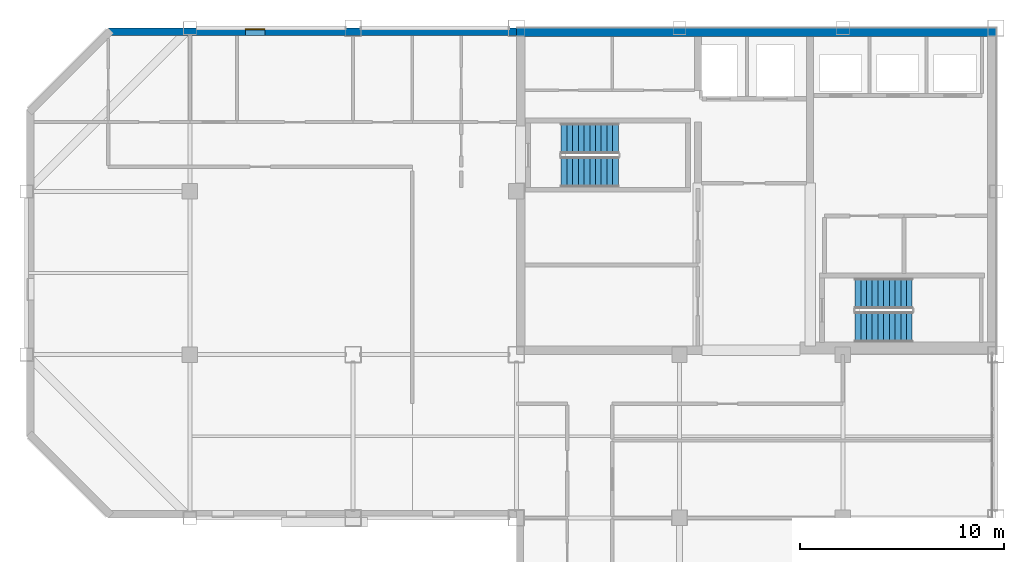
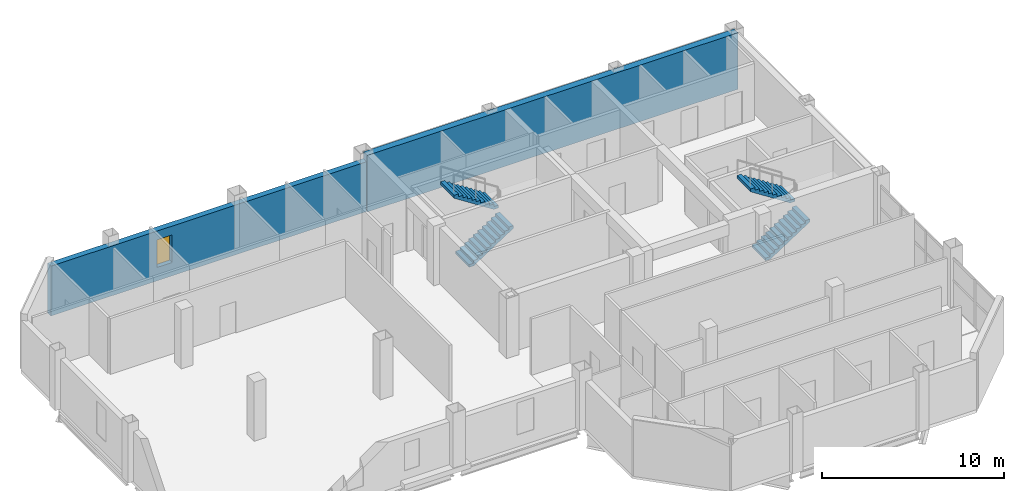
# One storey, part 10 of 13: 4 stair flights, 2 walls, 1 window, 1 opening, 2 elements without a shape of their own.
"""IFC4 building model written with IfcOpenShell, lengths in metres."""

from ifc_helpers import new_model, si_unit, direction, frame, frame_2d, origin, place, context, subcontext, project, spatial, polyline, rectangle, outline, extrude, material, layer, layer_set, type_object, element, fill, aggregate, save


model = new_model("IFC4")

# Units and contexts
model_context = context("Model", 3, precision=1e-05, world=origin(), true_north=direction((0.0, 1.0)))
body_context = subcontext(model_context, "Body", "Model", "MODEL_VIEW")
ifc_project = project(units=[si_unit("LENGTHUNIT", "METRE"), si_unit("AREAUNIT", "SQUARE_METRE"), si_unit("VOLUMEUNIT", "CUBIC_METRE"), si_unit("PLANEANGLEUNIT", "RADIAN"), si_unit("MASSUNIT", "GRAM", prefix="KILO")], contexts=[model_context])

# Site, building, storey
site_placement = place(None, origin())
site = spatial("IfcSite", under=ifc_project, at=site_placement, CompositionType="ELEMENT")
building_placement = place(site_placement, origin())
building = spatial("IfcBuilding", under=site, at=building_placement, Name="Qianrong Seaharbour Tower", CompositionType="ELEMENT")
storey_placement = place(building_placement, frame((0.0, 0.0, 299.199951171875)))
storey = spatial("IfcBuildingStorey", under=building, at=storey_placement, Name="L72", CompositionType="ELEMENT", Elevation=299.199951171875)

# Wall
ifc_material_1 = material(Name="Concrete C50/60", Category="concrete")
ifc_layer_1 = layer(ifc_material_1, 0.419921875)
ifc_layer_set_1 = layer_set([ifc_layer_1], Name="Concrete C50/60")
wall_type_1 = type_object("IfcWallType", Name="WALL-CORE-420", PredefinedType="SHEAR", material=ifc_layer_set_1)
wall_1_placement = place(storey_placement, frame((40.5, 51.7900390625, 0.0), z_axis=(0.0, 0.0, 1.0), x_axis=(1.0, 0.0, 0.0)))
element("IfcWall", 1, at=wall_1_placement, inside=storey, type_object=wall_type_1, Name="L72 North Core Shear Wall", PredefinedType="SHEAR", context=body_context, shape_type="SweptSolid", body=[
    extrude(rectangle(XDim=23.5, YDim=0.419921875, at=frame_2d((11.75, 0.0))), origin(), (0.0, 0.0, 1.0), 3.78515625),
])

# Wall, opening, window
ifc_material_2 = material(Name="Unitised red brick on Precast concrete C45/55", Category="masonry")
ifc_layer_2 = layer(ifc_material_2, 0.360107421875)
ifc_layer_set_2 = layer_set([ifc_layer_2], Name="Unitised red brick on Precast concrete C45/55")
wall_type_2 = type_object("IfcWallType", Name="WALL-EXT-BRICK-RED-360", PredefinedType="SOLIDWALL", material=ifc_layer_set_2)
wall_2_placement = place(storey_placement, frame((20.5, 51.820068359375, 0.0), z_axis=(0.0, 0.0, 1.0), x_axis=(1.0, 0.0, 0.0)))
wall_2 = element("IfcWall", 2, at=wall_2_placement, inside=storey, type_object=wall_type_2, Name="L72 Exterior Masonry Facade Wall NORTH_WING", PredefinedType="SOLIDWALL", context=body_context, shape_type="SweptSolid", body=[
    extrude(rectangle(XDim=20.02001953125, YDim=0.360107421875, at=frame_2d((10.010009765625, 0.0))), origin(), (0.0, 0.0, 1.0), 3.3349609375),
])
opening_placement = place(wall_2_placement, frame((6.72509765625, 0.0, 0.89990234375)))
opening = element("IfcOpeningElement", 3, at=opening_placement, cuts=wall_2, Name="Opening WN-13", PredefinedType="OPENING", context=body_context, shape_type="SweptSolid", body=[
    extrude(rectangle(XDim=0.949951171875, YDim=1.85009765625, at=frame_2d((0.47509765625, 0.925048828125))), frame((0.0, 0.18994140625, 0.0), z_axis=(0.0, -1.0, 0.0), x_axis=(1.0, 0.0, 0.0)), (0.0, 0.0, 1.0), 0.380126953125),
])
ifc_material_3 = material(Name="Insulated low-e double glazing in thermally broken aluminium 6063-T6 frame", Category="aluminium")
window_type = type_object("IfcWindowType", Name="WIN-NARROW-950x1850", PartitioningType="SINGLE_PANEL", PredefinedType="WINDOW", material=ifc_material_3)
window_placement = place(opening_placement, origin())
window = element("IfcWindow", 4, at=window_placement, inside=storey, type_object=window_type, Name="L72 Deep-Set Punched Window 05.02", OverallHeight=1.85009765625, OverallWidth=0.949951171875, PartitioningType="SINGLE_PANEL", PredefinedType="WINDOW", context=body_context, shape_type="SweptSolid", body=[
    extrude(rectangle(XDim=0.949951171875, YDim=1.85009765625, at=frame_2d((0.47509765625, 0.925048828125))), frame((0.0, 0.150146484375, 0.0), z_axis=(0.0, -1.0, 0.0), x_axis=(1.0, 0.0, 0.0)), (0.0, 0.0, 1.0), 0.06005859375),
])
fill(opening, window)

# Stair, stair flights
stair_type = type_object("IfcStairType", Name="STAIR-DOGLEG-1500-R22", PredefinedType="HALF_TURN_STAIR", material=ifc_material_1)
stair_1_placement = place(storey_placement, origin())
stair_1 = element("IfcStair", 5, at=stair_1_placement, inside=storey, type_object=stair_type, Name="L72 Protected Escape Stair ST-1", PredefinedType="HALF_TURN_STAIR")
stair_flight_type = type_object("IfcStairFlightType", Name="FLIGHT-STR-1500-R22", PredefinedType="STRAIGHT", material=ifc_material_1)
stair_flight_1_placement = place(storey_placement, frame((42.699951171875, 44.949951171875, 0.0), z_axis=(0.0, 0.0, 1.0), x_axis=(1.0, 0.0, 0.0)))
stair_flight_1 = element("IfcStairFlight", 6, at=stair_flight_1_placement, type_object=stair_flight_type, Name="ST-1 flight 1", NumberOfRisers=11, NumberOfTreads=10, PredefinedType="STRAIGHT", RiserHeight=0.181818182, TreadLength=0.28, context=body_context, shape_type="SweptSolid", body=[
    extrude(outline(polyline([(0.0, 0.0), (0.0, 0.181884765625), (0.280029296875, 0.181884765625), (0.280029296875, 0.363525390625), (0.56005859375, 0.363525390625), (0.56005859375, 0.54541015625), (0.840087890625, 0.54541015625), (0.840087890625, 0.727294921875), (1.1201171875, 0.727294921875), (1.1201171875, 0.9091796875), (1.39990234375, 0.9091796875), (1.39990234375, 1.0908203125), (1.679931640625, 1.0908203125), (1.679931640625, 1.272705078125), (1.9599609375, 1.272705078125), (1.9599609375, 1.45458984375), (2.239990234375, 1.45458984375), (2.239990234375, 1.636474609375), (2.52001953125, 1.636474609375), (2.52001953125, 1.818115234375), (2.800048828125, 1.818115234375), (2.800048828125, 2.0), (2.800048828125, 1.62744140625), (0.293701171875, 0.0), (0.0, 0.0)])), frame((0.0, 0.75, 0.0), z_axis=(0.0, -1.0, 0.0), x_axis=(1.0, 0.0, 0.0)), (0.0, 0.0, 1.0), 1.5),
])
stair_flight_2_placement = place(storey_placement, frame((45.5, 46.60009765625, 2.0), z_axis=(0.0, 0.0, 1.0), x_axis=(-1.0, 0.0, 0.0)))
stair_flight_2 = element("IfcStairFlight", 7, at=stair_flight_2_placement, type_object=stair_flight_type, Name="ST-1 flight 2", NumberOfRisers=11, NumberOfTreads=10, PredefinedType="STRAIGHT", RiserHeight=0.181818182, TreadLength=0.28, context=body_context, shape_type="SweptSolid", body=[
    extrude(outline(polyline([(0.0, 0.0), (0.0, 0.181884765625), (0.280029296875, 0.181884765625), (0.280029296875, 0.363525390625), (0.56005859375, 0.363525390625), (0.56005859375, 0.54541015625), (0.840087890625, 0.54541015625), (0.840087890625, 0.727294921875), (1.1201171875, 0.727294921875), (1.1201171875, 0.9091796875), (1.39990234375, 0.9091796875), (1.39990234375, 1.0908203125), (1.679931640625, 1.0908203125), (1.679931640625, 1.272705078125), (1.9599609375, 1.272705078125), (1.9599609375, 1.45458984375), (2.239990234375, 1.45458984375), (2.239990234375, 1.636474609375), (2.52001953125, 1.636474609375), (2.52001953125, 1.818115234375), (2.800048828125, 1.818115234375), (2.800048828125, 2.0), (2.800048828125, 1.62744140625), (0.293701171875, 0.0), (0.0, 0.0)])), frame((0.0, 0.75, 0.0), z_axis=(0.0, -1.0, 0.0), x_axis=(1.0, 0.0, 0.0)), (0.0, 0.0, 1.0), 1.5),
])
aggregate(stair_1, [stair_flight_1, stair_flight_2])

stair_2_placement = place(storey_placement, origin())
stair_2 = element("IfcStair", 8, at=stair_2_placement, inside=storey, type_object=stair_type, Name="L72 Protected Escape Stair ST-2", PredefinedType="HALF_TURN_STAIR")
stair_flight_3_placement = place(storey_placement, frame((57.10009765625, 37.35009765625, 0.0), z_axis=(0.0, 0.0, 1.0), x_axis=(1.0, 0.0, 0.0)))
stair_flight_3 = element("IfcStairFlight", 9, at=stair_flight_3_placement, type_object=stair_flight_type, Name="ST-2 flight 1", NumberOfRisers=11, NumberOfTreads=10, PredefinedType="STRAIGHT", RiserHeight=0.181818182, TreadLength=0.28, context=body_context, shape_type="SweptSolid", body=[
    extrude(outline(polyline([(0.0, 0.0), (0.0, 0.181884765625), (0.280029296875, 0.181884765625), (0.280029296875, 0.363525390625), (0.56005859375, 0.363525390625), (0.56005859375, 0.54541015625), (0.840087890625, 0.54541015625), (0.840087890625, 0.727294921875), (1.1201171875, 0.727294921875), (1.1201171875, 0.9091796875), (1.39990234375, 0.9091796875), (1.39990234375, 1.0908203125), (1.679931640625, 1.0908203125), (1.679931640625, 1.272705078125), (1.9599609375, 1.272705078125), (1.9599609375, 1.45458984375), (2.239990234375, 1.45458984375), (2.239990234375, 1.636474609375), (2.52001953125, 1.636474609375), (2.52001953125, 1.818115234375), (2.800048828125, 1.818115234375), (2.800048828125, 2.0), (2.800048828125, 1.62744140625), (0.293701171875, 0.0), (0.0, 0.0)])), frame((0.0, 0.75, 0.0), z_axis=(0.0, -1.0, 0.0), x_axis=(1.0, 0.0, 0.0)), (0.0, 0.0, 1.0), 1.5),
])
stair_flight_4_placement = place(storey_placement, frame((59.89990234375, 39.0, 2.0), z_axis=(0.0, 0.0, 1.0), x_axis=(-1.0, 0.0, 0.0)))
stair_flight_4 = element("IfcStairFlight", 10, at=stair_flight_4_placement, type_object=stair_flight_type, Name="ST-2 flight 2", NumberOfRisers=11, NumberOfTreads=10, PredefinedType="STRAIGHT", RiserHeight=0.181818182, TreadLength=0.28, context=body_context, shape_type="SweptSolid", body=[
    extrude(outline(polyline([(0.0, 0.0), (0.0, 0.181884765625), (0.280029296875, 0.181884765625), (0.280029296875, 0.363525390625), (0.56005859375, 0.363525390625), (0.56005859375, 0.54541015625), (0.840087890625, 0.54541015625), (0.840087890625, 0.727294921875), (1.1201171875, 0.727294921875), (1.1201171875, 0.9091796875), (1.39990234375, 0.9091796875), (1.39990234375, 1.0908203125), (1.679931640625, 1.0908203125), (1.679931640625, 1.272705078125), (1.9599609375, 1.272705078125), (1.9599609375, 1.45458984375), (2.239990234375, 1.45458984375), (2.239990234375, 1.636474609375), (2.52001953125, 1.636474609375), (2.52001953125, 1.818115234375), (2.800048828125, 1.818115234375), (2.800048828125, 2.0), (2.800048828125, 1.62744140625), (0.293701171875, 0.0), (0.0, 0.0)])), frame((0.0, 0.75, 0.0), z_axis=(0.0, -1.0, 0.0), x_axis=(1.0, 0.0, 0.0)), (0.0, 0.0, 1.0), 1.5),
])
aggregate(stair_2, [stair_flight_3, stair_flight_4])

save(model, "model.ifc")
